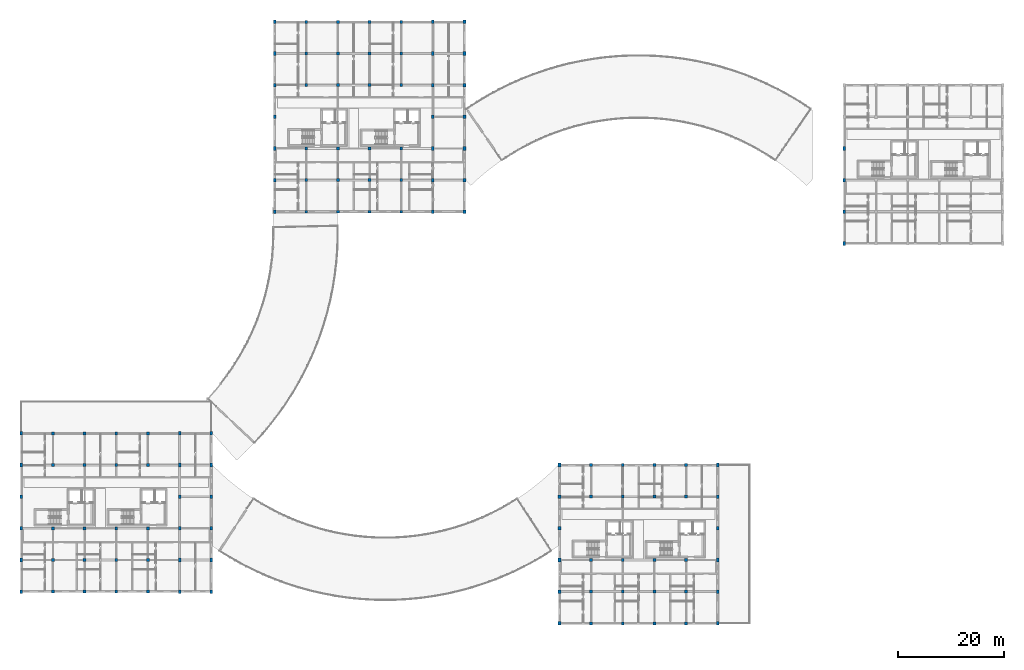
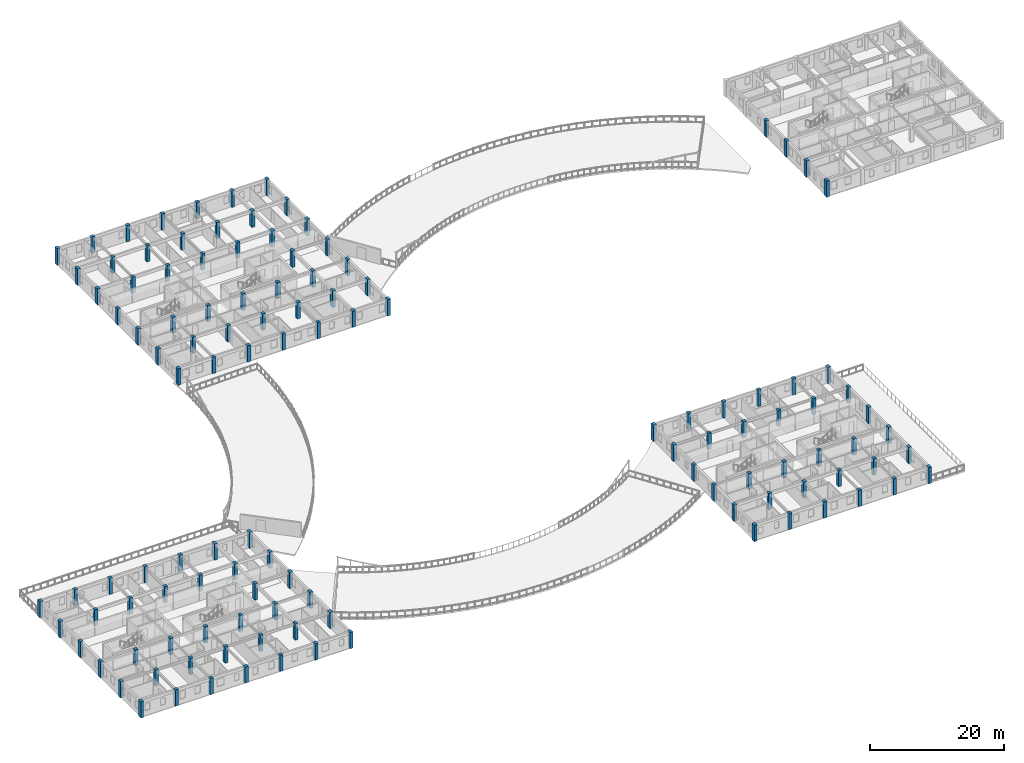
# One storey, part 1 of 58: 119 columns.
"""IFC4 building model written with IfcOpenShell, lengths in metres."""

from ifc_helpers import new_model, si_unit, direction, frame, origin, origin_2d, place, context, subcontext, project, spatial, rectangle, extrude, material, material_profile, profile_set, type_object, element, save


model = new_model("IFC4")

# Units and contexts
model_context = context("Model", 3, precision=1e-05, world=origin(), true_north=direction((0.0, 1.0)))
body_context = subcontext(model_context, "Body", "Model", "MODEL_VIEW")
ifc_project = project(units=[si_unit("LENGTHUNIT", "METRE"), si_unit("AREAUNIT", "SQUARE_METRE"), si_unit("VOLUMEUNIT", "CUBIC_METRE"), si_unit("PLANEANGLEUNIT", "RADIAN"), si_unit("MASSUNIT", "GRAM", prefix="KILO"), si_unit("POWERUNIT", "WATT"), si_unit("THERMODYNAMICTEMPERATUREUNIT", "KELVIN")], contexts=[model_context])

# Site, building, storey
site_placement = place(None, origin())
site = spatial("IfcSite", under=ifc_project, at=site_placement, CompositionType="ELEMENT")
building_placement = place(site_placement, origin())
building = spatial("IfcBuilding", under=site, at=building_placement, Name="Ruvembo Vaulted Housing Court", CompositionType="ELEMENT")
storey_placement = place(building_placement, frame((0.0, 0.0, 20.5)))
storey = spatial("IfcBuildingStorey", under=building, at=storey_placement, Name="L06", CompositionType="ELEMENT", Elevation=20.5)

# Columns
ifc_material = material(Name="Concrete C35/45", Category="concrete")
ifc_material_profile_1 = material_profile(ifc_material, rectangle(XDim=0.5, YDim=0.699951171875, at=origin_2d()), Name="RC 500x700")
ifc_profile_set_1 = profile_set([ifc_material_profile_1], Name="Concrete C35/45")
column_type_1 = type_object("IfcColumnType", Name="COL-RC-500x700", PredefinedType="COLUMN", material=ifc_profile_set_1)
for number, where, z_axis, x_axis, name in (
    (1, (0.0, 6.0, 0.0), (0.0, 0.0, 1.0), (1.0, 0.0, 0.0), "L06 Column (0,6)"),
    (2, (0.0, 12.0, 0.0), (0.0, 0.0, 1.0), (1.0, 0.0, 0.0), "L06 Column (0,12)"),
    (3, (0.0, 18.0, 0.0), (0.0, 0.0, 1.0), (1.0, 0.0, 0.0), "L06 Column (0,18)"),
    (4, (0.0, 24.0, 0.0), (0.0, 0.0, 1.0), (1.0, 0.0, 0.0), "L06 Column (0,24)"),
    (5, (0.0, 30.0, 0.0), (0.0, 0.0, 1.0), (1.0, 0.0, 0.0), "L06 Column (0,30)"),
    (6, (0.0, 36.0, 0.0), (0.0, 0.0, 1.0), (1.0, 0.0, 0.0), "L06 Column (0,36)"),
    (7, (30.0, 6.0, 0.0), (0.0, 0.0, 1.0), (1.0, 0.0, 0.0), "L06 Column (30,6)"),
    (8, (30.0, 12.0, 0.0), (0.0, 0.0, 1.0), (1.0, 0.0, 0.0), "L06 Column (30,12)"),
    (9, (30.0, 18.0, 0.0), (0.0, 0.0, 1.0), (1.0, 0.0, 0.0), "L06 Column (30,18)"),
    (10, (30.0, 24.0, 0.0), (0.0, 0.0, 1.0), (1.0, 0.0, 0.0), "L06 Column (30,24)"),
    (11, (30.0, 30.0, 0.0), (0.0, 0.0, 1.0), (1.0, 0.0, 0.0), "L06 Column (30,30)"),
    (12, (30.0, 36.0, 0.0), (0.0, 0.0, 1.0), (1.0, 0.0, 0.0), "L06 Column (30,36)"),
    (13, (36.0, 6.0, 0.0), (0.0, 0.0, 1.0), (1.0, 0.0, 0.0), "L06 Column (36,6)"),
    (14, (36.0, 12.0, 0.0), (0.0, 0.0, 1.0), (1.0, 0.0, 0.0), "L06 Column (36,12)"),
    (15, (36.0, 18.0, 0.0), (0.0, 0.0, 1.0), (1.0, 0.0, 0.0), "L06 Column (36,18)"),
    (16, (36.0, 24.0, 0.0), (0.0, 0.0, 1.0), (1.0, 0.0, 0.0), "L06 Column (36,24)"),
    (17, (36.0, 30.0, 0.0), (0.0, 0.0, 1.0), (1.0, 0.0, 0.0), "L06 Column (36,30)"),
    (18, (36.0, 36.0, 0.0), (0.0, 0.0, 1.0), (1.0, 0.0, 0.0), "L06 Column (36,36)"),
    (19, (48.0, 78.0, 0.0), (0.0, 0.0, 1.0), (1.0, 0.0, 0.0), "L06 Column (48,78)"),
    (20, (48.0, 84.0, 0.0), (0.0, 0.0, 1.0), (1.0, 0.0, 0.0), "L06 Column (48,84)"),
    (21, (48.0, 90.0, 0.0), (0.0, 0.0, 1.0), (1.0, 0.0, 0.0), "L06 Column (48,90)"),
    (22, (48.0, 96.0, 0.0), (0.0, 0.0, 1.0), (1.0, 0.0, 0.0), "L06 Column (48,96)"),
    (23, (48.0, 102.0, 0.0), (0.0, 0.0, 1.0), (1.0, 0.0, 0.0), "L06 Column (48,102)"),
    (24, (48.0, 108.0, 0.0), (0.0, 0.0, 1.0), (1.0, 0.0, 0.0), "L06 Column (48,108)"),
    (25, (48.0, 114.0, 0.0), (0.0, 0.0, 1.0), (1.0, 0.0, 0.0), "L06 Column (48,114)"),
    (26, (78.0, 78.0, 0.0), (0.0, 0.0, 1.0), (1.0, 0.0, 0.0), "L06 Column (78,78)"),
    (27, (78.0, 84.0, 0.0), (0.0, 0.0, 1.0), (1.0, 0.0, 0.0), "L06 Column (78,84)"),
    (28, (78.0, 90.0, 0.0), (0.0, 0.0, 1.0), (1.0, 0.0, 0.0), "L06 Column (78,90)"),
    (29, (78.0, 96.0, 0.0), (0.0, 0.0, 1.0), (1.0, 0.0, 0.0), "L06 Column (78,96)"),
    (30, (78.0, 102.0, 0.0), (0.0, 0.0, 1.0), (1.0, 0.0, 0.0), "L06 Column (78,102)"),
    (31, (78.0, 108.0, 0.0), (0.0, 0.0, 1.0), (1.0, 0.0, 0.0), "L06 Column (78,108)"),
    (32, (78.0, 114.0, 0.0), (0.0, 0.0, 1.0), (1.0, 0.0, 0.0), "L06 Column (78,114)"),
    (33, (84.0, 78.0, 0.0), (0.0, 0.0, 1.0), (1.0, 0.0, 0.0), "L06 Column (84,78)"),
    (34, (84.0, 84.0, 0.0), (0.0, 0.0, 1.0), (1.0, 0.0, 0.0), "L06 Column (84,84)"),
    (35, (84.0, 90.0, 0.0), (0.0, 0.0, 1.0), (1.0, 0.0, 0.0), "L06 Column (84,90)"),
    (36, (84.0, 96.0, 0.0), (0.0, 0.0, 1.0), (1.0, 0.0, 0.0), "L06 Column (84,96)"),
    (37, (84.0, 102.0, 0.0), (0.0, 0.0, 1.0), (1.0, 0.0, 0.0), "L06 Column (84,102)"),
    (38, (84.0, 108.0, 0.0), (0.0, 0.0, 1.0), (1.0, 0.0, 0.0), "L06 Column (84,108)"),
    (39, (84.0, 114.0, 0.0), (0.0, 0.0, 1.0), (1.0, 0.0, 0.0), "L06 Column (84,114)"),
    (40, (102.0, 0.0, 0.0), (0.0, 0.0, 1.0), (1.0, 0.0, 0.0), "L06 Column (102,0)"),
    (41, (102.0, 6.0, 0.0), (0.0, 0.0, 1.0), (1.0, 0.0, 0.0), "L06 Column (102,6)"),
    (42, (102.0, 12.0, 0.0), (0.0, 0.0, 1.0), (1.0, 0.0, 0.0), "L06 Column (102,12)"),
    (43, (102.0, 18.0, 0.0), (0.0, 0.0, 1.0), (1.0, 0.0, 0.0), "L06 Column (102,18)"),
    (44, (102.0, 24.0, 0.0), (0.0, 0.0, 1.0), (1.0, 0.0, 0.0), "L06 Column (102,24)"),
    (45, (102.0, 30.0, 0.0), (0.0, 0.0, 1.0), (1.0, 0.0, 0.0), "L06 Column (102,30)"),
    (46, (132.0, 0.0, 0.0), (0.0, 0.0, 1.0), (1.0, 0.0, 0.0), "L06 Column (132,0)"),
    (47, (132.0, 6.0, 0.0), (0.0, 0.0, 1.0), (1.0, 0.0, 0.0), "L06 Column (132,6)"),
    (48, (132.0, 12.0, 0.0), (0.0, 0.0, 1.0), (1.0, 0.0, 0.0), "L06 Column (132,12)"),
    (49, (132.0, 18.0, 0.0), (0.0, 0.0, 1.0), (1.0, 0.0, 0.0), "L06 Column (132,18)"),
    (50, (132.0, 24.0, 0.0), (0.0, 0.0, 1.0), (1.0, 0.0, 0.0), "L06 Column (132,24)"),
    (51, (132.0, 30.0, 0.0), (0.0, 0.0, 1.0), (1.0, 0.0, 0.0), "L06 Column (132,30)"),
    (52, (156.0, 72.0, 0.0), (0.0, 0.0, 1.0), (1.0, 0.0, 0.0), "L06 Column (156,72)"),
    (53, (156.0, 78.0, 0.0), (0.0, 0.0, 1.0), (1.0, 0.0, 0.0), "L06 Column (156,78)"),
    (54, (156.0, 84.0, 0.0), (0.0, 0.0, 1.0), (1.0, 0.0, 0.0), "L06 Column (156,84)"),
    (55, (156.0, 90.0, 0.0), (0.0, 0.0, 1.0), (1.0, 0.0, 0.0), "L06 Column (156,90)"),
):
    element("IfcColumn", number, at=place(storey_placement, frame(where, z_axis=z_axis, x_axis=x_axis)), inside=storey, type_object=column_type_1, Name=name, PredefinedType="COLUMN", context=body_context, shape_type="SweptSolid", body=[
        extrude(rectangle(XDim=0.5, YDim=0.699951171875, at=origin_2d()), origin(), (0.0, 0.0, 1.0), 2.969970703125),
    ])
ifc_material_profile_2 = material_profile(ifc_material, rectangle(XDim=0.550048828125, YDim=0.550048828125, at=origin_2d()), Name="RC 550x550")
ifc_profile_set_2 = profile_set([ifc_material_profile_2], Name="Concrete C35/45")
column_type_2 = type_object("IfcColumnType", Name="COL-RC-550", PredefinedType="COLUMN", material=ifc_profile_set_2)
for number, where, z_axis, x_axis, name in (
    (56, (6.0, 6.0, 0.0), (0.0, 0.0, 1.0), (1.0, 0.0, 0.0), "L06 Column (6,6)"),
    (57, (6.0, 12.0, 0.0), (0.0, 0.0, 1.0), (1.0, 0.0, 0.0), "L06 Column (6,12)"),
    (58, (6.0, 18.0, 0.0), (0.0, 0.0, 1.0), (1.0, 0.0, 0.0), "L06 Column (6,18)"),
    (59, (6.0, 30.0, 0.0), (0.0, 0.0, 1.0), (1.0, 0.0, 0.0), "L06 Column (6,30)"),
    (60, (6.0, 36.0, 0.0), (0.0, 0.0, 1.0), (1.0, 0.0, 0.0), "L06 Column (6,36)"),
    (61, (12.0, 6.0, 0.0), (0.0, 0.0, 1.0), (1.0, 0.0, 0.0), "L06 Column (12,6)"),
    (62, (12.0, 12.0, 0.0), (0.0, 0.0, 1.0), (1.0, 0.0, 0.0), "L06 Column (12,12)"),
    (63, (12.0, 18.0, 0.0), (0.0, 0.0, 1.0), (1.0, 0.0, 0.0), "L06 Column (12,18)"),
    (64, (12.0, 30.0, 0.0), (0.0, 0.0, 1.0), (1.0, 0.0, 0.0), "L06 Column (12,30)"),
    (65, (12.0, 36.0, 0.0), (0.0, 0.0, 1.0), (1.0, 0.0, 0.0), "L06 Column (12,36)"),
    (66, (18.0, 6.0, 0.0), (0.0, 0.0, 1.0), (1.0, 0.0, 0.0), "L06 Column (18,6)"),
    (67, (18.0, 12.0, 0.0), (0.0, 0.0, 1.0), (1.0, 0.0, 0.0), "L06 Column (18,12)"),
    (68, (18.0, 18.0, 0.0), (0.0, 0.0, 1.0), (1.0, 0.0, 0.0), "L06 Column (18,18)"),
    (69, (18.0, 30.0, 0.0), (0.0, 0.0, 1.0), (1.0, 0.0, 0.0), "L06 Column (18,30)"),
    (70, (18.0, 36.0, 0.0), (0.0, 0.0, 1.0), (1.0, 0.0, 0.0), "L06 Column (18,36)"),
    (71, (24.0, 6.0, 0.0), (0.0, 0.0, 1.0), (1.0, 0.0, 0.0), "L06 Column (24,6)"),
    (72, (24.0, 12.0, 0.0), (0.0, 0.0, 1.0), (1.0, 0.0, 0.0), "L06 Column (24,12)"),
    (73, (24.0, 18.0, 0.0), (0.0, 0.0, 1.0), (1.0, 0.0, 0.0), "L06 Column (24,18)"),
    (74, (24.0, 30.0, 0.0), (0.0, 0.0, 1.0), (1.0, 0.0, 0.0), "L06 Column (24,30)"),
    (75, (24.0, 36.0, 0.0), (0.0, 0.0, 1.0), (1.0, 0.0, 0.0), "L06 Column (24,36)"),
    (76, (54.0, 78.0, 0.0), (0.0, 0.0, 1.0), (1.0, 0.0, 0.0), "L06 Column (54,78)"),
    (77, (54.0, 84.0, 0.0), (0.0, 0.0, 1.0), (1.0, 0.0, 0.0), "L06 Column (54,84)"),
    (78, (54.0, 90.0, 0.0), (0.0, 0.0, 1.0), (1.0, 0.0, 0.0), "L06 Column (54,90)"),
    (79, (54.0, 102.0, 0.0), (0.0, 0.0, 1.0), (1.0, 0.0, 0.0), "L06 Column (54,102)"),
    (80, (54.0, 108.0, 0.0), (0.0, 0.0, 1.0), (1.0, 0.0, 0.0), "L06 Column (54,108)"),
    (81, (54.0, 114.0, 0.0), (0.0, 0.0, 1.0), (1.0, 0.0, 0.0), "L06 Column (54,114)"),
    (82, (60.0, 78.0, 0.0), (0.0, 0.0, 1.0), (1.0, 0.0, 0.0), "L06 Column (60,78)"),
    (83, (60.0, 84.0, 0.0), (0.0, 0.0, 1.0), (1.0, 0.0, 0.0), "L06 Column (60,84)"),
    (84, (60.0, 90.0, 0.0), (0.0, 0.0, 1.0), (1.0, 0.0, 0.0), "L06 Column (60,90)"),
    (85, (60.0, 102.0, 0.0), (0.0, 0.0, 1.0), (1.0, 0.0, 0.0), "L06 Column (60,102)"),
    (86, (60.0, 108.0, 0.0), (0.0, 0.0, 1.0), (1.0, 0.0, 0.0), "L06 Column (60,108)"),
    (87, (60.0, 114.0, 0.0), (0.0, 0.0, 1.0), (1.0, 0.0, 0.0), "L06 Column (60,114)"),
    (88, (66.0, 78.0, 0.0), (0.0, 0.0, 1.0), (1.0, 0.0, 0.0), "L06 Column (66,78)"),
    (89, (66.0, 84.0, 0.0), (0.0, 0.0, 1.0), (1.0, 0.0, 0.0), "L06 Column (66,84)"),
    (90, (66.0, 90.0, 0.0), (0.0, 0.0, 1.0), (1.0, 0.0, 0.0), "L06 Column (66,90)"),
    (91, (66.0, 102.0, 0.0), (0.0, 0.0, 1.0), (1.0, 0.0, 0.0), "L06 Column (66,102)"),
    (92, (66.0, 108.0, 0.0), (0.0, 0.0, 1.0), (1.0, 0.0, 0.0), "L06 Column (66,108)"),
    (93, (66.0, 114.0, 0.0), (0.0, 0.0, 1.0), (1.0, 0.0, 0.0), "L06 Column (66,114)"),
    (94, (72.0, 78.0, 0.0), (0.0, 0.0, 1.0), (1.0, 0.0, 0.0), "L06 Column (72,78)"),
    (95, (72.0, 84.0, 0.0), (0.0, 0.0, 1.0), (1.0, 0.0, 0.0), "L06 Column (72,84)"),
    (96, (72.0, 90.0, 0.0), (0.0, 0.0, 1.0), (1.0, 0.0, 0.0), "L06 Column (72,90)"),
    (97, (72.0, 102.0, 0.0), (0.0, 0.0, 1.0), (1.0, 0.0, 0.0), "L06 Column (72,102)"),
    (98, (72.0, 108.0, 0.0), (0.0, 0.0, 1.0), (1.0, 0.0, 0.0), "L06 Column (72,108)"),
    (99, (72.0, 114.0, 0.0), (0.0, 0.0, 1.0), (1.0, 0.0, 0.0), "L06 Column (72,114)"),
    (100, (108.0, 0.0, 0.0), (0.0, 0.0, 1.0), (1.0, 0.0, 0.0), "L06 Column (108,0)"),
    (101, (108.0, 6.0, 0.0), (0.0, 0.0, 1.0), (1.0, 0.0, 0.0), "L06 Column (108,6)"),
    (102, (108.0, 12.0, 0.0), (0.0, 0.0, 1.0), (1.0, 0.0, 0.0), "L06 Column (108,12)"),
    (103, (108.0, 24.0, 0.0), (0.0, 0.0, 1.0), (1.0, 0.0, 0.0), "L06 Column (108,24)"),
    (104, (108.0, 30.0, 0.0), (0.0, 0.0, 1.0), (1.0, 0.0, 0.0), "L06 Column (108,30)"),
    (105, (114.0, 0.0, 0.0), (0.0, 0.0, 1.0), (1.0, 0.0, 0.0), "L06 Column (114,0)"),
    (106, (114.0, 6.0, 0.0), (0.0, 0.0, 1.0), (1.0, 0.0, 0.0), "L06 Column (114,6)"),
    (107, (114.0, 12.0, 0.0), (0.0, 0.0, 1.0), (1.0, 0.0, 0.0), "L06 Column (114,12)"),
    (108, (114.0, 24.0, 0.0), (0.0, 0.0, 1.0), (1.0, 0.0, 0.0), "L06 Column (114,24)"),
    (109, (114.0, 30.0, 0.0), (0.0, 0.0, 1.0), (1.0, 0.0, 0.0), "L06 Column (114,30)"),
    (110, (120.0, 0.0, 0.0), (0.0, 0.0, 1.0), (1.0, 0.0, 0.0), "L06 Column (120,0)"),
    (111, (120.0, 6.0, 0.0), (0.0, 0.0, 1.0), (1.0, 0.0, 0.0), "L06 Column (120,6)"),
    (112, (120.0, 12.0, 0.0), (0.0, 0.0, 1.0), (1.0, 0.0, 0.0), "L06 Column (120,12)"),
    (113, (120.0, 24.0, 0.0), (0.0, 0.0, 1.0), (1.0, 0.0, 0.0), "L06 Column (120,24)"),
    (114, (120.0, 30.0, 0.0), (0.0, 0.0, 1.0), (1.0, 0.0, 0.0), "L06 Column (120,30)"),
    (115, (126.0, 0.0, 0.0), (0.0, 0.0, 1.0), (1.0, 0.0, 0.0), "L06 Column (126,0)"),
    (116, (126.0, 6.0, 0.0), (0.0, 0.0, 1.0), (1.0, 0.0, 0.0), "L06 Column (126,6)"),
    (117, (126.0, 12.0, 0.0), (0.0, 0.0, 1.0), (1.0, 0.0, 0.0), "L06 Column (126,12)"),
    (118, (126.0, 24.0, 0.0), (0.0, 0.0, 1.0), (1.0, 0.0, 0.0), "L06 Column (126,24)"),
    (119, (126.0, 30.0, 0.0), (0.0, 0.0, 1.0), (1.0, 0.0, 0.0), "L06 Column (126,30)"),
):
    element("IfcColumn", number, at=place(storey_placement, frame(where, z_axis=z_axis, x_axis=x_axis)), inside=storey, type_object=column_type_2, Name=name, PredefinedType="COLUMN", context=body_context, shape_type="SweptSolid", body=[
        extrude(rectangle(XDim=0.550048828125, YDim=0.550048828125, at=origin_2d()), origin(), (0.0, 0.0, 1.0), 2.969970703125),
    ])

save(model, "model.ifc")
